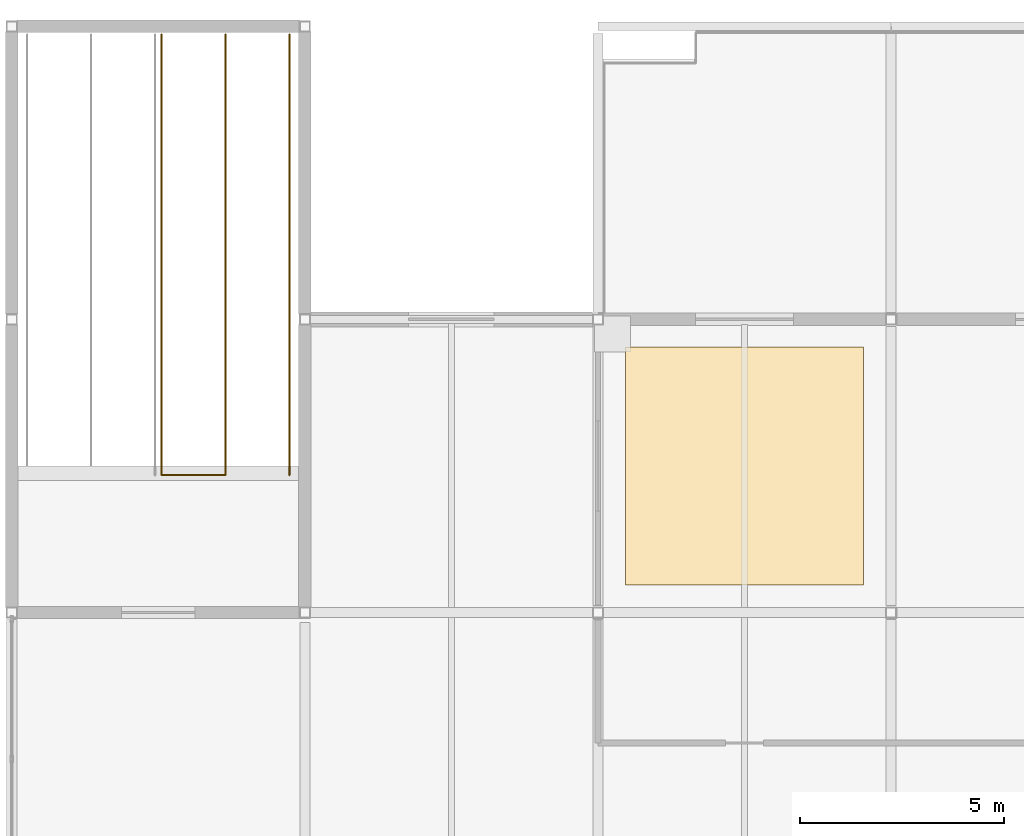
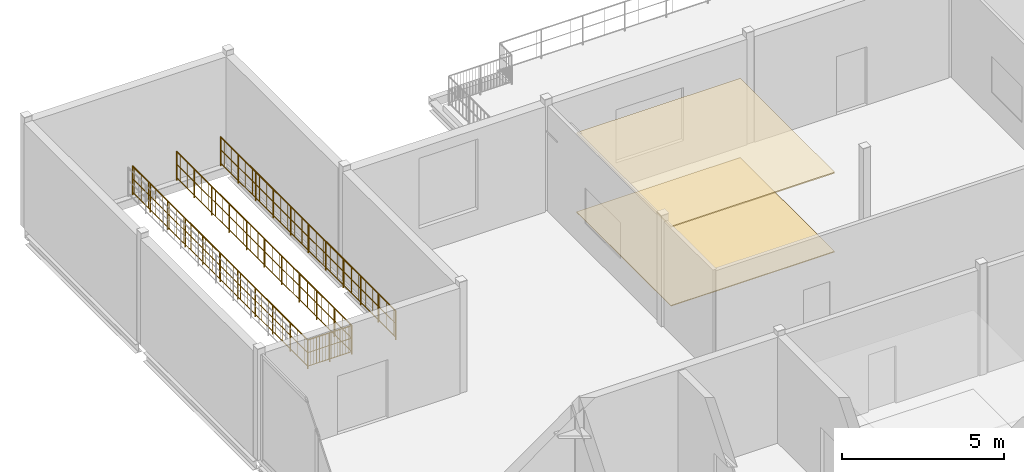
# One storey, part 16 of 18: 2 coverings, 2 railings.
"""IFC4 building model written with IfcOpenShell, lengths in metres."""

from ifc_helpers import new_model, si_unit, direction, frame, origin, origin_2d, place, context, subcontext, project, spatial, polyline, circle, outline, extrude, material, layer, layer_set, type_object, element, save


model = new_model("IFC4")

# Units and contexts
model_context = context("Model", 3, precision=1e-05, world=origin(), true_north=direction((0.0, 1.0)))
body_context = subcontext(model_context, "Body", "Model", "MODEL_VIEW")
ifc_project = project(units=[si_unit("LENGTHUNIT", "METRE"), si_unit("AREAUNIT", "SQUARE_METRE"), si_unit("VOLUMEUNIT", "CUBIC_METRE"), si_unit("PLANEANGLEUNIT", "RADIAN"), si_unit("MASSUNIT", "GRAM", prefix="KILO")], contexts=[model_context])

# Site, building, storey
site_placement = place(None, origin())
site = spatial("IfcSite", under=ifc_project, at=site_placement, CompositionType="ELEMENT")
building_placement = place(site_placement, origin())
building = spatial("IfcBuilding", under=site, at=building_placement, Name="Vesperath Aquatics Centre", CompositionType="ELEMENT")
storey_placement = place(building_placement, frame((0.0, 0.0, 23.39990234375)))
storey = spatial("IfcBuildingStorey", under=building, at=storey_placement, Name="L05", CompositionType="ELEMENT", Elevation=23.39990234375)

# Coverings
ifc_material_1 = material(Name="Perforated moisture-resistant acoustic mineral-fibre ceiling", Category="gypsum")
ifc_layer_1 = layer(ifc_material_1, 0.044921875)
ifc_layer_set_1 = layer_set([ifc_layer_1], Name="Perforated moisture-resistant acoustic mineral-fibre ceiling")
covering_type_1 = type_object("IfcCoveringType", Name="CV-CLG01", PredefinedType="CEILING", material=ifc_layer_set_1)
covering_1_placement = place(storey_placement, frame((0.0, 0.0, 2.97509765625)))
element("IfcCovering", 1, at=covering_1_placement, inside=storey, type_object=covering_type_1, Name="Acoustic Suspended Ceiling CLG1 L05_COACHES", PredefinedType="CEILING", context=body_context, shape_type="SweptSolid", body=[
    extrude(outline(polyline([(130.280029296875, 22.280029296875), (136.1201171875, 22.280029296875), (136.1201171875, 28.1201171875), (130.280029296875, 28.1201171875), (130.280029296875, 22.280029296875)])), origin(), (0.0, 0.0, 1.0), 0.044921875),
])
ifc_material_2 = material(Name="Slip-resistant vitrified ceramic and terrazzo flooring", Category="ceramic")
ifc_layer_2 = layer(ifc_material_2, 0.030029296875)
ifc_layer_set_2 = layer_set([ifc_layer_2], Name="Slip-resistant vitrified ceramic and terrazzo flooring")
covering_type_2 = type_object("IfcCoveringType", Name="CV-FLR01", PredefinedType="FLOORING", material=ifc_layer_set_2)
covering_2_placement = place(storey_placement, origin())
element("IfcCovering", 2, at=covering_2_placement, inside=storey, type_object=covering_type_2, Name="Slip-Resistant Floor Finish FLR1 L05_COACHES", PredefinedType="FLOORING", context=body_context, shape_type="SweptSolid", body=[
    extrude(outline(polyline([(130.280029296875, 22.280029296875), (136.1201171875, 22.280029296875), (136.1201171875, 28.1201171875), (130.280029296875, 28.1201171875), (130.280029296875, 22.280029296875)])), origin(), (0.0, 0.0, 1.0), 0.030029296875),
])

# Railings
ifc_material_3 = material(Name="Powder-coated galvanized steel safety guard", Category="steel")
railing_type = type_object("IfcRailingType", Name="RL-GRD01", PredefinedType="GUARDRAIL", material=ifc_material_3)
railing_1_placement = place(storey_placement, frame((118.8798828125, 35.800048828125, 0.0)))
element("IfcRailing", 3, at=railing_1_placement, inside=storey, type_object=railing_type, Name="Stair ST7B Top Well Guard GR02 L05", PredefinedType="GUARDRAIL", context=body_context, shape_type="SweptSolid", body=[
    extrude(circle(Radius=0.02392578125, at=origin_2d()), frame((0.0, 0.0, 1.0859375), z_axis=(0.0, -1.0, 0.0), x_axis=(1.0, 0.0, 0.0)), (0.0, 0.0, 1.0), 10.820068359375),
    extrude(circle(Radius=0.01611328125, at=origin_2d()), frame((0.0, 0.0, 0.10009765625), z_axis=(0.0, -1.0, 0.0), x_axis=(1.0, 0.0, 0.0)), (0.0, 0.0, 1.0), 10.820068359375),
    extrude(circle(Radius=0.01611328125, at=origin_2d()), frame((0.0, 0.0, 0.610595703125), z_axis=(0.0, -1.0, 0.0), x_axis=(1.0, 0.0, 0.0)), (0.0, 0.0, 1.0), 10.820068359375),
    extrude(circle(Radius=0.009033203125, at=origin_2d()), frame((0.0, -0.109375, 0.10009765625)), (0.0, 0.0, 1.0), 0.9619140625),
    extrude(circle(Radius=0.009033203125, at=origin_2d()), frame((0.0, -0.54638671875, 0.10009765625)), (0.0, 0.0, 1.0), 0.9619140625),
    extrude(circle(Radius=0.009033203125, at=origin_2d()), frame((0.0, -0.983642578125, 0.10009765625)), (0.0, 0.0, 1.0), 0.9619140625),
    extrude(circle(Radius=0.009033203125, at=origin_2d()), frame((0.0, -1.4208984375, 0.10009765625)), (0.0, 0.0, 1.0), 0.9619140625),
    extrude(circle(Radius=0.009033203125, at=origin_2d()), frame((0.0, -1.85791015625, 0.10009765625)), (0.0, 0.0, 1.0), 0.9619140625),
    extrude(circle(Radius=0.009033203125, at=origin_2d()), frame((0.0, -2.295166015625, 0.10009765625)), (0.0, 0.0, 1.0), 0.9619140625),
    extrude(circle(Radius=0.009033203125, at=origin_2d()), frame((0.0, -2.732421875, 0.10009765625)), (0.0, 0.0, 1.0), 0.9619140625),
    extrude(circle(Radius=0.009033203125, at=origin_2d()), frame((0.0, -3.16943359375, 0.10009765625)), (0.0, 0.0, 1.0), 0.9619140625),
    extrude(circle(Radius=0.009033203125, at=origin_2d()), frame((0.0, -3.606689453125, 0.10009765625)), (0.0, 0.0, 1.0), 0.9619140625),
    extrude(circle(Radius=0.009033203125, at=origin_2d()), frame((0.0, -4.0439453125, 0.10009765625)), (0.0, 0.0, 1.0), 0.9619140625),
    extrude(circle(Radius=0.009033203125, at=origin_2d()), frame((0.0, -4.48095703125, 0.10009765625)), (0.0, 0.0, 1.0), 0.9619140625),
    extrude(circle(Radius=0.009033203125, at=origin_2d()), frame((0.0, -4.918212890625, 0.10009765625)), (0.0, 0.0, 1.0), 0.9619140625),
    extrude(circle(Radius=0.009033203125, at=origin_2d()), frame((0.0, -5.35546875, 0.10009765625)), (0.0, 0.0, 1.0), 0.9619140625),
    extrude(circle(Radius=0.009033203125, at=origin_2d()), frame((0.0, -5.79248046875, 0.10009765625)), (0.0, 0.0, 1.0), 0.9619140625),
    extrude(circle(Radius=0.009033203125, at=origin_2d()), frame((0.0, -6.229736328125, 0.10009765625)), (0.0, 0.0, 1.0), 0.9619140625),
    extrude(circle(Radius=0.009033203125, at=origin_2d()), frame((0.0, -6.6669921875, 0.10009765625)), (0.0, 0.0, 1.0), 0.9619140625),
    extrude(circle(Radius=0.009033203125, at=origin_2d()), frame((0.0, -7.10400390625, 0.10009765625)), (0.0, 0.0, 1.0), 0.9619140625),
    extrude(circle(Radius=0.009033203125, at=origin_2d()), frame((0.0, -7.541259765625, 0.10009765625)), (0.0, 0.0, 1.0), 0.9619140625),
    extrude(circle(Radius=0.009033203125, at=origin_2d()), frame((0.0, -7.978515625, 0.10009765625)), (0.0, 0.0, 1.0), 0.9619140625),
    extrude(circle(Radius=0.009033203125, at=origin_2d()), frame((0.0, -8.41552734375, 0.10009765625)), (0.0, 0.0, 1.0), 0.9619140625),
    extrude(circle(Radius=0.009033203125, at=origin_2d()), frame((0.0, -8.852783203125, 0.10009765625)), (0.0, 0.0, 1.0), 0.9619140625),
    extrude(circle(Radius=0.009033203125, at=origin_2d()), frame((0.0, -9.2900390625, 0.10009765625)), (0.0, 0.0, 1.0), 0.9619140625),
    extrude(circle(Radius=0.009033203125, at=origin_2d()), frame((0.0, -9.72705078125, 0.10009765625)), (0.0, 0.0, 1.0), 0.9619140625),
    extrude(circle(Radius=0.009033203125, at=origin_2d()), frame((0.0, -10.164306640625, 0.10009765625)), (0.0, 0.0, 1.0), 0.9619140625),
    extrude(circle(Radius=0.009033203125, at=origin_2d()), frame((0.0, -10.6015625, 0.10009765625)), (0.0, 0.0, 1.0), 0.9619140625),
    extrude(circle(Radius=0.02392578125, at=origin_2d()), frame((0.0, -10.820068359375, 1.0859375), z_axis=(1.0, 0.0, 0.0), x_axis=(0.0, 1.0, 0.0)), (0.0, 0.0, 1.0), 1.570068359375),
    extrude(circle(Radius=0.01611328125, at=origin_2d()), frame((0.0, -10.820068359375, 0.10009765625), z_axis=(1.0, 0.0, 0.0), x_axis=(0.0, 1.0, 0.0)), (0.0, 0.0, 1.0), 1.570068359375),
    extrude(circle(Radius=0.01611328125, at=origin_2d()), frame((0.0, -10.820068359375, 0.610595703125), z_axis=(1.0, 0.0, 0.0), x_axis=(0.0, 1.0, 0.0)), (0.0, 0.0, 1.0), 1.570068359375),
    extrude(circle(Radius=0.009033203125, at=origin_2d()), frame((0.104736328125, -10.820068359375, 0.10009765625)), (0.0, 0.0, 1.0), 0.9619140625),
    extrude(circle(Radius=0.009033203125, at=origin_2d()), frame((0.209228515625, -10.820068359375, 0.10009765625)), (0.0, 0.0, 1.0), 0.9619140625),
    extrude(circle(Radius=0.009033203125, at=origin_2d()), frame((0.31396484375, -10.820068359375, 0.10009765625)), (0.0, 0.0, 1.0), 0.9619140625),
    extrude(circle(Radius=0.009033203125, at=origin_2d()), frame((0.418701171875, -10.820068359375, 0.10009765625)), (0.0, 0.0, 1.0), 0.9619140625),
    extrude(circle(Radius=0.009033203125, at=origin_2d()), frame((0.5234375, -10.820068359375, 0.10009765625)), (0.0, 0.0, 1.0), 0.9619140625),
    extrude(circle(Radius=0.009033203125, at=origin_2d()), frame((0.6279296875, -10.820068359375, 0.10009765625)), (0.0, 0.0, 1.0), 0.9619140625),
    extrude(circle(Radius=0.009033203125, at=origin_2d()), frame((0.732666015625, -10.820068359375, 0.10009765625)), (0.0, 0.0, 1.0), 0.9619140625),
    extrude(circle(Radius=0.009033203125, at=origin_2d()), frame((0.83740234375, -10.820068359375, 0.10009765625)), (0.0, 0.0, 1.0), 0.9619140625),
    extrude(circle(Radius=0.009033203125, at=origin_2d()), frame((0.942138671875, -10.820068359375, 0.10009765625)), (0.0, 0.0, 1.0), 0.9619140625),
    extrude(circle(Radius=0.009033203125, at=origin_2d()), frame((1.046630859375, -10.820068359375, 0.10009765625)), (0.0, 0.0, 1.0), 0.9619140625),
    extrude(circle(Radius=0.009033203125, at=origin_2d()), frame((1.1513671875, -10.820068359375, 0.10009765625)), (0.0, 0.0, 1.0), 0.9619140625),
    extrude(circle(Radius=0.009033203125, at=origin_2d()), frame((1.256103515625, -10.820068359375, 0.10009765625)), (0.0, 0.0, 1.0), 0.9619140625),
    extrude(circle(Radius=0.009033203125, at=origin_2d()), frame((1.36083984375, -10.820068359375, 0.10009765625)), (0.0, 0.0, 1.0), 0.9619140625),
    extrude(circle(Radius=0.009033203125, at=origin_2d()), frame((1.46533203125, -10.820068359375, 0.10009765625)), (0.0, 0.0, 1.0), 0.9619140625),
    extrude(circle(Radius=0.02392578125, at=origin_2d()), frame((1.570068359375, -10.820068359375, 1.0859375), z_axis=(0.0, 1.0, 0.0), x_axis=(-1.0, 0.0, 0.0)), (0.0, 0.0, 1.0), 10.820068359375),
    extrude(circle(Radius=0.01611328125, at=origin_2d()), frame((1.570068359375, -10.820068359375, 0.10009765625), z_axis=(0.0, 1.0, 0.0), x_axis=(-1.0, 0.0, 0.0)), (0.0, 0.0, 1.0), 10.820068359375),
    extrude(circle(Radius=0.01611328125, at=origin_2d()), frame((1.570068359375, -10.820068359375, 0.610595703125), z_axis=(0.0, 1.0, 0.0), x_axis=(-1.0, 0.0, 0.0)), (0.0, 0.0, 1.0), 10.820068359375),
    extrude(circle(Radius=0.009033203125, at=origin_2d()), frame((1.570068359375, -10.710693359375, 0.10009765625)), (0.0, 0.0, 1.0), 0.9619140625),
    extrude(circle(Radius=0.009033203125, at=origin_2d()), frame((1.570068359375, -10.273681640625, 0.10009765625)), (0.0, 0.0, 1.0), 0.9619140625),
    extrude(circle(Radius=0.009033203125, at=origin_2d()), frame((1.570068359375, -9.83642578125, 0.10009765625)), (0.0, 0.0, 1.0), 0.9619140625),
    extrude(circle(Radius=0.009033203125, at=origin_2d()), frame((1.570068359375, -9.399169921875, 0.10009765625)), (0.0, 0.0, 1.0), 0.9619140625),
    extrude(circle(Radius=0.009033203125, at=origin_2d()), frame((1.570068359375, -8.962158203125, 0.10009765625)), (0.0, 0.0, 1.0), 0.9619140625),
    extrude(circle(Radius=0.009033203125, at=origin_2d()), frame((1.570068359375, -8.52490234375, 0.10009765625)), (0.0, 0.0, 1.0), 0.9619140625),
    extrude(circle(Radius=0.009033203125, at=origin_2d()), frame((1.570068359375, -8.087646484375, 0.10009765625)), (0.0, 0.0, 1.0), 0.9619140625),
    extrude(circle(Radius=0.009033203125, at=origin_2d()), frame((1.570068359375, -7.650634765625, 0.10009765625)), (0.0, 0.0, 1.0), 0.9619140625),
    extrude(circle(Radius=0.009033203125, at=origin_2d()), frame((1.570068359375, -7.21337890625, 0.10009765625)), (0.0, 0.0, 1.0), 0.9619140625),
    extrude(circle(Radius=0.009033203125, at=origin_2d()), frame((1.570068359375, -6.776123046875, 0.10009765625)), (0.0, 0.0, 1.0), 0.9619140625),
    extrude(circle(Radius=0.009033203125, at=origin_2d()), frame((1.570068359375, -6.339111328125, 0.10009765625)), (0.0, 0.0, 1.0), 0.9619140625),
    extrude(circle(Radius=0.009033203125, at=origin_2d()), frame((1.570068359375, -5.90185546875, 0.10009765625)), (0.0, 0.0, 1.0), 0.9619140625),
    extrude(circle(Radius=0.009033203125, at=origin_2d()), frame((1.570068359375, -5.464599609375, 0.10009765625)), (0.0, 0.0, 1.0), 0.9619140625),
    extrude(circle(Radius=0.009033203125, at=origin_2d()), frame((1.570068359375, -5.027587890625, 0.10009765625)), (0.0, 0.0, 1.0), 0.9619140625),
    extrude(circle(Radius=0.009033203125, at=origin_2d()), frame((1.570068359375, -4.59033203125, 0.10009765625)), (0.0, 0.0, 1.0), 0.9619140625),
    extrude(circle(Radius=0.009033203125, at=origin_2d()), frame((1.570068359375, -4.153076171875, 0.10009765625)), (0.0, 0.0, 1.0), 0.9619140625),
    extrude(circle(Radius=0.009033203125, at=origin_2d()), frame((1.570068359375, -3.716064453125, 0.10009765625)), (0.0, 0.0, 1.0), 0.9619140625),
    extrude(circle(Radius=0.009033203125, at=origin_2d()), frame((1.570068359375, -3.27880859375, 0.10009765625)), (0.0, 0.0, 1.0), 0.9619140625),
    extrude(circle(Radius=0.009033203125, at=origin_2d()), frame((1.570068359375, -2.841552734375, 0.10009765625)), (0.0, 0.0, 1.0), 0.9619140625),
    extrude(circle(Radius=0.009033203125, at=origin_2d()), frame((1.570068359375, -2.404541015625, 0.10009765625)), (0.0, 0.0, 1.0), 0.9619140625),
    extrude(circle(Radius=0.009033203125, at=origin_2d()), frame((1.570068359375, -1.96728515625, 0.10009765625)), (0.0, 0.0, 1.0), 0.9619140625),
    extrude(circle(Radius=0.009033203125, at=origin_2d()), frame((1.570068359375, -1.530029296875, 0.10009765625)), (0.0, 0.0, 1.0), 0.9619140625),
    extrude(circle(Radius=0.009033203125, at=origin_2d()), frame((1.570068359375, -1.093017578125, 0.10009765625)), (0.0, 0.0, 1.0), 0.9619140625),
    extrude(circle(Radius=0.009033203125, at=origin_2d()), frame((1.570068359375, -0.65576171875, 0.10009765625)), (0.0, 0.0, 1.0), 0.9619140625),
    extrude(circle(Radius=0.009033203125, at=origin_2d()), frame((1.570068359375, -0.218505859375, 0.10009765625)), (0.0, 0.0, 1.0), 0.9619140625),
    extrude(circle(Radius=0.02197265625, at=origin_2d()), origin(), (0.0, 0.0, 1.0), 1.0859375),
    extrude(circle(Radius=0.02197265625, at=origin_2d()), frame((0.0, -1.08203125, 0.0)), (0.0, 0.0, 1.0), 1.0859375),
    extrude(circle(Radius=0.02197265625, at=origin_2d()), frame((0.0, -2.1640625, 0.0)), (0.0, 0.0, 1.0), 1.0859375),
    extrude(circle(Radius=0.02197265625, at=origin_2d()), frame((0.0, -3.24609375, 0.0)), (0.0, 0.0, 1.0), 1.0859375),
    extrude(circle(Radius=0.02197265625, at=origin_2d()), frame((0.0, -4.328125, 0.0)), (0.0, 0.0, 1.0), 1.0859375),
    extrude(circle(Radius=0.02197265625, at=origin_2d()), frame((0.0, -5.41015625, 0.0)), (0.0, 0.0, 1.0), 1.0859375),
    extrude(circle(Radius=0.02197265625, at=origin_2d()), frame((0.0, -6.491943359375, 0.0)), (0.0, 0.0, 1.0), 1.0859375),
    extrude(circle(Radius=0.02197265625, at=origin_2d()), frame((0.0, -7.573974609375, 0.0)), (0.0, 0.0, 1.0), 1.0859375),
    extrude(circle(Radius=0.02197265625, at=origin_2d()), frame((0.0, -8.656005859375, 0.0)), (0.0, 0.0, 1.0), 1.0859375),
    extrude(circle(Radius=0.02197265625, at=origin_2d()), frame((0.0, -9.738037109375, 0.0)), (0.0, 0.0, 1.0), 1.0859375),
    extrude(circle(Radius=0.02197265625, at=origin_2d()), frame((0.0, -10.820068359375, 0.0)), (0.0, 0.0, 1.0), 1.0859375),
    extrude(circle(Radius=0.02197265625, at=origin_2d()), frame((0.78515625, -10.820068359375, 0.0)), (0.0, 0.0, 1.0), 1.0859375),
    extrude(circle(Radius=0.02197265625, at=origin_2d()), frame((1.570068359375, -10.820068359375, 0.0)), (0.0, 0.0, 1.0), 1.0859375),
    extrude(circle(Radius=0.02197265625, at=origin_2d()), frame((1.570068359375, -9.738037109375, 0.0)), (0.0, 0.0, 1.0), 1.0859375),
    extrude(circle(Radius=0.02197265625, at=origin_2d()), frame((1.570068359375, -8.656005859375, 0.0)), (0.0, 0.0, 1.0), 1.0859375),
    extrude(circle(Radius=0.02197265625, at=origin_2d()), frame((1.570068359375, -7.573974609375, 0.0)), (0.0, 0.0, 1.0), 1.0859375),
    extrude(circle(Radius=0.02197265625, at=origin_2d()), frame((1.570068359375, -6.491943359375, 0.0)), (0.0, 0.0, 1.0), 1.0859375),
    extrude(circle(Radius=0.02197265625, at=origin_2d()), frame((1.570068359375, -5.41015625, 0.0)), (0.0, 0.0, 1.0), 1.0859375),
    extrude(circle(Radius=0.02197265625, at=origin_2d()), frame((1.570068359375, -4.328125, 0.0)), (0.0, 0.0, 1.0), 1.0859375),
    extrude(circle(Radius=0.02197265625, at=origin_2d()), frame((1.570068359375, -3.24609375, 0.0)), (0.0, 0.0, 1.0), 1.0859375),
    extrude(circle(Radius=0.02197265625, at=origin_2d()), frame((1.570068359375, -2.1640625, 0.0)), (0.0, 0.0, 1.0), 1.0859375),
    extrude(circle(Radius=0.02197265625, at=origin_2d()), frame((1.570068359375, -1.08203125, 0.0)), (0.0, 0.0, 1.0), 1.0859375),
    extrude(circle(Radius=0.02197265625, at=origin_2d()), frame((1.570068359375, 0.0, 0.0)), (0.0, 0.0, 1.0), 1.0859375),
])
railing_2_placement = place(storey_placement, frame((122.02001953125, 24.97998046875, 0.0)))
element("IfcRailing", 4, at=railing_2_placement, inside=storey, type_object=railing_type, Name="Stair ST7B Top Side Guard GR02 L05", PredefinedType="GUARDRAIL", context=body_context, shape_type="SweptSolid", body=[
    extrude(circle(Radius=0.02392578125, at=origin_2d()), frame((0.0, 0.0, 1.0859375), z_axis=(0.0, 1.0, 0.0), x_axis=(-1.0, 0.0, 0.0)), (0.0, 0.0, 1.0), 10.820068359375),
    extrude(circle(Radius=0.01611328125, at=origin_2d()), frame((0.0, 0.0, 0.10009765625), z_axis=(0.0, 1.0, 0.0), x_axis=(-1.0, 0.0, 0.0)), (0.0, 0.0, 1.0), 10.820068359375),
    extrude(circle(Radius=0.01611328125, at=origin_2d()), frame((0.0, 0.0, 0.610595703125), z_axis=(0.0, 1.0, 0.0), x_axis=(-1.0, 0.0, 0.0)), (0.0, 0.0, 1.0), 10.820068359375),
    extrude(circle(Radius=0.009033203125, at=origin_2d()), frame((0.0, 0.109375, 0.10009765625)), (0.0, 0.0, 1.0), 0.9619140625),
    extrude(circle(Radius=0.009033203125, at=origin_2d()), frame((0.0, 0.54638671875, 0.10009765625)), (0.0, 0.0, 1.0), 0.9619140625),
    extrude(circle(Radius=0.009033203125, at=origin_2d()), frame((0.0, 0.983642578125, 0.10009765625)), (0.0, 0.0, 1.0), 0.9619140625),
    extrude(circle(Radius=0.009033203125, at=origin_2d()), frame((0.0, 1.4208984375, 0.10009765625)), (0.0, 0.0, 1.0), 0.9619140625),
    extrude(circle(Radius=0.009033203125, at=origin_2d()), frame((0.0, 1.85791015625, 0.10009765625)), (0.0, 0.0, 1.0), 0.9619140625),
    extrude(circle(Radius=0.009033203125, at=origin_2d()), frame((0.0, 2.295166015625, 0.10009765625)), (0.0, 0.0, 1.0), 0.9619140625),
    extrude(circle(Radius=0.009033203125, at=origin_2d()), frame((0.0, 2.732421875, 0.10009765625)), (0.0, 0.0, 1.0), 0.9619140625),
    extrude(circle(Radius=0.009033203125, at=origin_2d()), frame((0.0, 3.16943359375, 0.10009765625)), (0.0, 0.0, 1.0), 0.9619140625),
    extrude(circle(Radius=0.009033203125, at=origin_2d()), frame((0.0, 3.606689453125, 0.10009765625)), (0.0, 0.0, 1.0), 0.9619140625),
    extrude(circle(Radius=0.009033203125, at=origin_2d()), frame((0.0, 4.0439453125, 0.10009765625)), (0.0, 0.0, 1.0), 0.9619140625),
    extrude(circle(Radius=0.009033203125, at=origin_2d()), frame((0.0, 4.48095703125, 0.10009765625)), (0.0, 0.0, 1.0), 0.9619140625),
    extrude(circle(Radius=0.009033203125, at=origin_2d()), frame((0.0, 4.918212890625, 0.10009765625)), (0.0, 0.0, 1.0), 0.9619140625),
    extrude(circle(Radius=0.009033203125, at=origin_2d()), frame((0.0, 5.35546875, 0.10009765625)), (0.0, 0.0, 1.0), 0.9619140625),
    extrude(circle(Radius=0.009033203125, at=origin_2d()), frame((0.0, 5.79248046875, 0.10009765625)), (0.0, 0.0, 1.0), 0.9619140625),
    extrude(circle(Radius=0.009033203125, at=origin_2d()), frame((0.0, 6.229736328125, 0.10009765625)), (0.0, 0.0, 1.0), 0.9619140625),
    extrude(circle(Radius=0.009033203125, at=origin_2d()), frame((0.0, 6.6669921875, 0.10009765625)), (0.0, 0.0, 1.0), 0.9619140625),
    extrude(circle(Radius=0.009033203125, at=origin_2d()), frame((0.0, 7.10400390625, 0.10009765625)), (0.0, 0.0, 1.0), 0.9619140625),
    extrude(circle(Radius=0.009033203125, at=origin_2d()), frame((0.0, 7.541259765625, 0.10009765625)), (0.0, 0.0, 1.0), 0.9619140625),
    extrude(circle(Radius=0.009033203125, at=origin_2d()), frame((0.0, 7.978515625, 0.10009765625)), (0.0, 0.0, 1.0), 0.9619140625),
    extrude(circle(Radius=0.009033203125, at=origin_2d()), frame((0.0, 8.41552734375, 0.10009765625)), (0.0, 0.0, 1.0), 0.9619140625),
    extrude(circle(Radius=0.009033203125, at=origin_2d()), frame((0.0, 8.852783203125, 0.10009765625)), (0.0, 0.0, 1.0), 0.9619140625),
    extrude(circle(Radius=0.009033203125, at=origin_2d()), frame((0.0, 9.2900390625, 0.10009765625)), (0.0, 0.0, 1.0), 0.9619140625),
    extrude(circle(Radius=0.009033203125, at=origin_2d()), frame((0.0, 9.72705078125, 0.10009765625)), (0.0, 0.0, 1.0), 0.9619140625),
    extrude(circle(Radius=0.009033203125, at=origin_2d()), frame((0.0, 10.164306640625, 0.10009765625)), (0.0, 0.0, 1.0), 0.9619140625),
    extrude(circle(Radius=0.009033203125, at=origin_2d()), frame((0.0, 10.6015625, 0.10009765625)), (0.0, 0.0, 1.0), 0.9619140625),
    extrude(circle(Radius=0.02197265625, at=origin_2d()), origin(), (0.0, 0.0, 1.0), 1.0859375),
    extrude(circle(Radius=0.02197265625, at=origin_2d()), frame((0.0, 1.08203125, 0.0)), (0.0, 0.0, 1.0), 1.0859375),
    extrude(circle(Radius=0.02197265625, at=origin_2d()), frame((0.0, 2.1640625, 0.0)), (0.0, 0.0, 1.0), 1.0859375),
    extrude(circle(Radius=0.02197265625, at=origin_2d()), frame((0.0, 3.24609375, 0.0)), (0.0, 0.0, 1.0), 1.0859375),
    extrude(circle(Radius=0.02197265625, at=origin_2d()), frame((0.0, 4.328125, 0.0)), (0.0, 0.0, 1.0), 1.0859375),
    extrude(circle(Radius=0.02197265625, at=origin_2d()), frame((0.0, 5.41015625, 0.0)), (0.0, 0.0, 1.0), 1.0859375),
    extrude(circle(Radius=0.02197265625, at=origin_2d()), frame((0.0, 6.491943359375, 0.0)), (0.0, 0.0, 1.0), 1.0859375),
    extrude(circle(Radius=0.02197265625, at=origin_2d()), frame((0.0, 7.573974609375, 0.0)), (0.0, 0.0, 1.0), 1.0859375),
    extrude(circle(Radius=0.02197265625, at=origin_2d()), frame((0.0, 8.656005859375, 0.0)), (0.0, 0.0, 1.0), 1.0859375),
    extrude(circle(Radius=0.02197265625, at=origin_2d()), frame((0.0, 9.738037109375, 0.0)), (0.0, 0.0, 1.0), 1.0859375),
    extrude(circle(Radius=0.02197265625, at=origin_2d()), frame((0.0, 10.820068359375, 0.0)), (0.0, 0.0, 1.0), 1.0859375),
])

save(model, "model.ifc")
